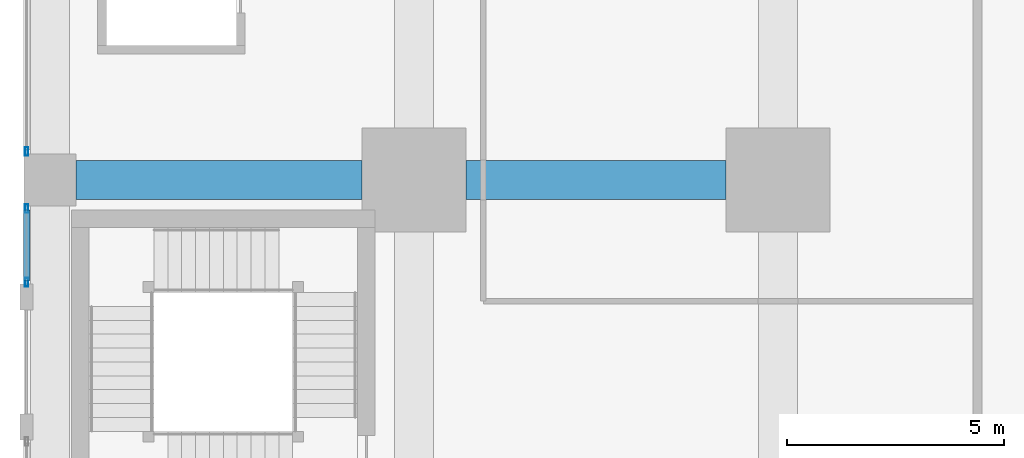
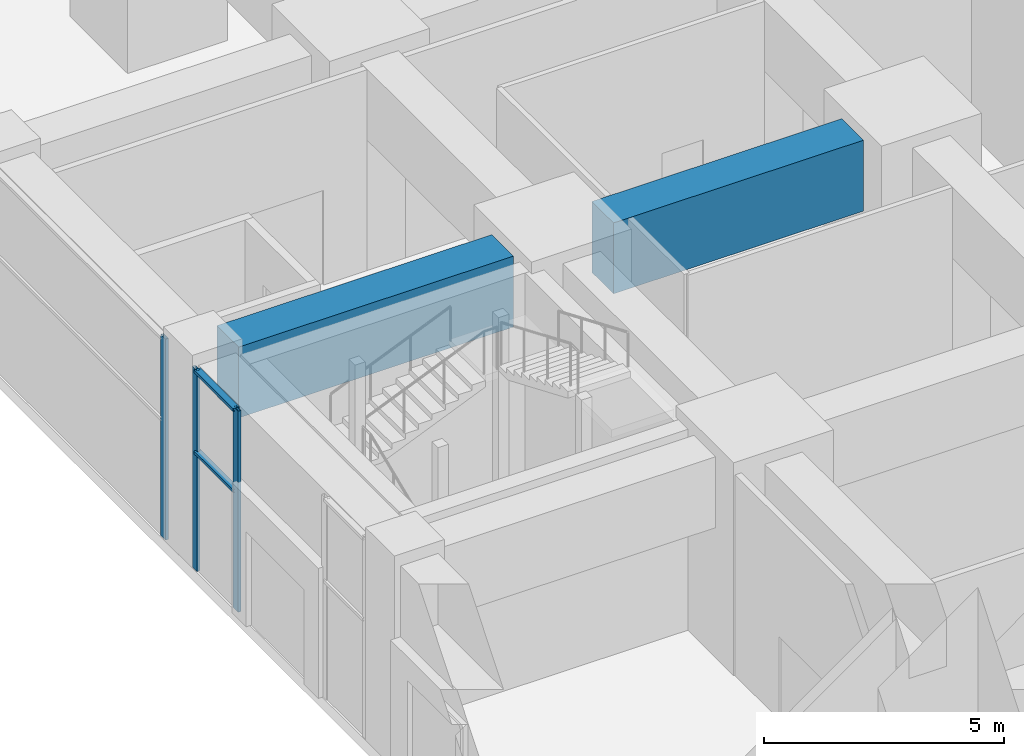
# One storey, part 17 of 81: 5 members, 2 beams, 2 elements without a shape of their own.
"""IFC4 building model written with IfcOpenShell, lengths in metres."""

from ifc_helpers import new_model, si_unit, direction, frame, origin, origin_2d, place, context, subcontext, project, spatial, rectangle, hollow_rectangle, extrude, material, material_profile, profile_set, type_object, element, aggregate, save


model = new_model("IFC4")

# Units and contexts
model_context = context("Model", 3, precision=1e-05, world=origin(), true_north=direction((0.0, 1.0)))
body_context = subcontext(model_context, "Body", "Model", "MODEL_VIEW")
ifc_project = project(units=[si_unit("LENGTHUNIT", "METRE"), si_unit("AREAUNIT", "SQUARE_METRE"), si_unit("VOLUMEUNIT", "CUBIC_METRE"), si_unit("PLANEANGLEUNIT", "RADIAN"), si_unit("MASSUNIT", "GRAM", prefix="KILO")], contexts=[model_context])

# Site, building, storey
site_placement = place(None, origin())
site = spatial("IfcSite", under=ifc_project, at=site_placement, CompositionType="ELEMENT")
building_placement = place(site_placement, origin())
building = spatial("IfcBuilding", under=site, at=building_placement, Name="Rekha Terrace Tower", CompositionType="ELEMENT")
storey_placement = place(building_placement, origin())
storey = spatial("IfcBuildingStorey", under=building, at=storey_placement, Name="L00", CompositionType="ELEMENT", Elevation=0.0)

# Curtain wall, member
ifc_material_1 = material(Name="Aluminium framing", Category="aluminium")
curtain_wall_type = type_object("IfcCurtainWallType", Name="CW4 podium shopfront glazing", PredefinedType="USERDEFINED", material=ifc_material_1)
curtain_wall_1_placement = place(storey_placement, origin())
curtain_wall_1 = element("IfcCurtainWall", 1, at=curtain_wall_1_placement, inside=storey, type_object=curtain_wall_type, Name="CW4 shopfront curtain wall", ObjectType="SHOPFRONT CURTAIN WALL", PredefinedType="USERDEFINED")
ifc_material_2 = material(Name="Aluminium mullion section", Category="aluminium")
ifc_material_profile_1 = material_profile(ifc_material_2, hollow_rectangle(XDim=0.074951171875, YDim=0.199951171875, WallThickness=0.00390625, at=origin_2d()), Name="AL RHS 75x200")
ifc_profile_set_1 = profile_set([ifc_material_profile_1], Name="Aluminium mullion section")
member_type_1 = type_object("IfcMemberType", Name="CW4 mullion RHS 75 x 200", PredefinedType="MULLION", material=ifc_profile_set_1)
member_1_placement = place(storey_placement, frame((-0.5400390625, 34.257568359375, 0.0), z_axis=(0.0, 0.0, 1.0), x_axis=(1.0, 0.0, 0.0)))
member_1 = element("IfcMember", 2, at=member_1_placement, type_object=member_type_1, Name="CW4 mullion 2", PredefinedType="MULLION", context=body_context, shape_type="SweptSolid", body=[
    extrude(hollow_rectangle(XDim=0.074951171875, YDim=0.199951171875, WallThickness=0.00390625, at=origin_2d()), origin(), (0.0, 0.0, 1.0), 5.10009765625),
])
aggregate(curtain_wall_1, [member_1])

# Curtain wall, members
curtain_wall_2_placement = place(storey_placement, origin())
curtain_wall_2 = element("IfcCurtainWall", 3, at=curtain_wall_2_placement, inside=storey, type_object=curtain_wall_type, Name="CW4 shopfront curtain wall", ObjectType="SHOPFRONT CURTAIN WALL", PredefinedType="USERDEFINED")
member_2_placement = place(storey_placement, frame((-0.5400390625, 32.9423828125, 0.0), z_axis=(0.0, 0.0, 1.0), x_axis=(1.0, 0.0, 0.0)))
member_2 = element("IfcMember", 4, at=member_2_placement, type_object=member_type_1, Name="CW4 mullion 1", PredefinedType="MULLION", context=body_context, shape_type="SweptSolid", body=[
    extrude(hollow_rectangle(XDim=0.074951171875, YDim=0.199951171875, WallThickness=0.00390625, at=origin_2d()), origin(), (0.0, 0.0, 1.0), 5.10009765625),
])
member_3_placement = place(storey_placement, frame((-0.5400390625, 31.237548828125, 0.0), z_axis=(0.0, 0.0, 1.0), x_axis=(1.0, 0.0, 0.0)))
member_3 = element("IfcMember", 5, at=member_3_placement, type_object=member_type_1, Name="CW4 mullion 2", PredefinedType="MULLION", context=body_context, shape_type="SweptSolid", body=[
    extrude(hollow_rectangle(XDim=0.074951171875, YDim=0.199951171875, WallThickness=0.00390625, at=origin_2d()), origin(), (0.0, 0.0, 1.0), 5.10009765625),
])
ifc_material_3 = material(Name="Aluminium transom section", Category="aluminium")
ifc_material_profile_2 = material_profile(ifc_material_3, hollow_rectangle(XDim=0.14990234375, YDim=0.074951171875, WallThickness=0.0029296875, at=origin_2d()), Name="AL RHS 150x75")
ifc_profile_set_2 = profile_set([ifc_material_profile_2], Name="Aluminium transom section")
member_type_2 = type_object("IfcMemberType", Name="CW4 transom RHS 75 x 150", PredefinedType="USERDEFINED", material=ifc_profile_set_2)
member_4_placement = place(storey_placement, frame((-0.5400390625, 32.905029296875, 3.0), z_axis=(0.0, -1.0, 0.0), x_axis=(1.0, 0.0, 0.0)))
member_4 = element("IfcMember", 6, at=member_4_placement, type_object=member_type_2, Name="CW4 transom 1.2", ObjectType="TRANSOM", PredefinedType="USERDEFINED", context=body_context, shape_type="SweptSolid", body=[
    extrude(hollow_rectangle(XDim=0.14990234375, YDim=0.074951171875, WallThickness=0.0029296875, at=origin_2d()), origin(), (0.0, 0.0, 1.0), 1.630126953125),
])
member_5_placement = place(storey_placement, frame((-0.5400390625, 32.905029296875, 5.0625), z_axis=(0.0, -1.0, 0.0), x_axis=(1.0, 0.0, 0.0)))
member_5 = element("IfcMember", 7, at=member_5_placement, type_object=member_type_2, Name="CW4 transom 1.3", ObjectType="TRANSOM", PredefinedType="USERDEFINED", context=body_context, shape_type="SweptSolid", body=[
    extrude(hollow_rectangle(XDim=0.14990234375, YDim=0.074951171875, WallThickness=0.0029296875, at=origin_2d()), origin(), (0.0, 0.0, 1.0), 1.630126953125),
])
aggregate(curtain_wall_2, [member_2, member_3, member_4, member_5])

# Beams
ifc_material_4 = material(Name="Concrete M60", Category="concrete")
ifc_material_profile_3 = material_profile(ifc_material_4, rectangle(XDim=0.89990234375, YDim=1.800048828125, at=origin_2d()), Name="RC 900x1800")
ifc_profile_set_3 = profile_set([ifc_material_profile_3], Name="Concrete M60")
beam_type = type_object("IfcBeamType", Name="G1 900x1800 podium floor beam", PredefinedType="BEAM", material=ifc_profile_set_3)
beam_1_placement = place(storey_placement, frame((0.60009765625, 33.60009765625, 4.199951171875), z_axis=(1.0, 0.0, 0.0), x_axis=(0.0, 1.0, 0.0)))
element("IfcBeam", 8, at=beam_1_placement, inside=storey, type_object=beam_type, Name="Beam G1 1E-2E under L01", PredefinedType="BEAM", context=body_context, shape_type="SweptSolid", body=[
    extrude(rectangle(XDim=0.89990234375, YDim=1.800048828125, at=origin_2d()), origin(), (0.0, 0.0, 1.0), 6.599853515625),
])
beam_2_placement = place(storey_placement, frame((9.60009765625, 33.60009765625, 4.199951171875), z_axis=(1.0, 0.0, 0.0), x_axis=(0.0, 1.0, 0.0)))
element("IfcBeam", 9, at=beam_2_placement, inside=storey, type_object=beam_type, Name="Beam G1 2E-3E under L01", PredefinedType="BEAM", context=body_context, shape_type="SweptSolid", body=[
    extrude(rectangle(XDim=0.89990234375, YDim=1.800048828125, at=origin_2d()), origin(), (0.0, 0.0, 1.0), 6.0),
])

save(model, "model.ifc")
